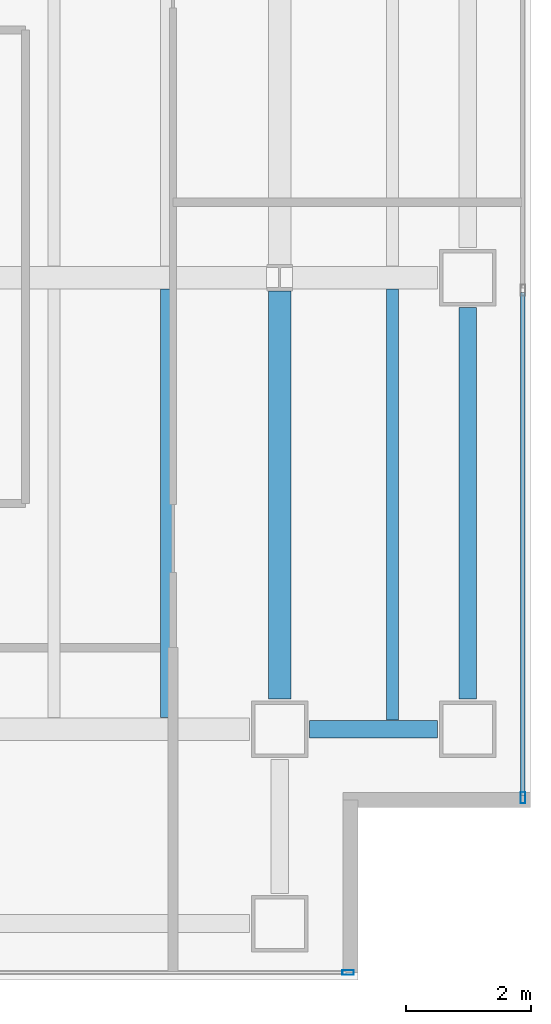
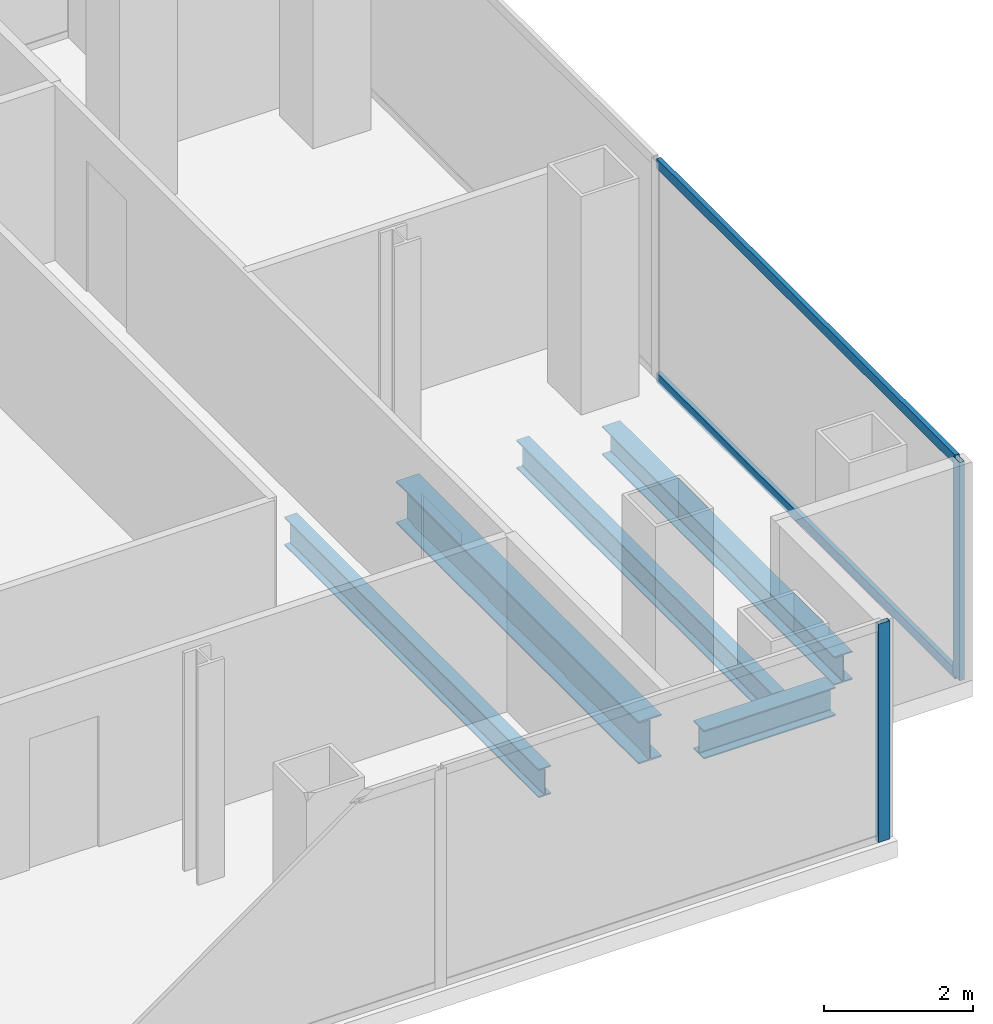
# One storey, part 11 of 23: 5 beams, 4 members, 2 elements without a shape of their own.
"""IFC4 building model written with IfcOpenShell, lengths in metres."""

import ifcopenshell
import ifcopenshell.guid

model = None  # the IFC model being written
_history = None  # IfcOwnerHistory: only IFC2X3 demands one
_inside = {}  # id of a spatial element -> (the spatial element, [elements in it])
_under = {}  # id of a project, library or spatial element -> (it, [spatial elements below it])
_declared = {}  # id of a project -> (the project, [libraries it declares])
_typed = {}  # id of a type object -> (the type object, [elements of that type])
_made_of = {}  # id of a material, layer set ... -> (it, [elements and type objects made of it])


def new_model(schema):
    """Start an empty IFC model of exactly this schema.

    Asked for "IFC4X3", IfcOpenShell would pick the latest addendum, in which some entities
    have other attributes; the version numbers below select the first issue.
    IFC2X3 requires an IfcOwnerHistory on every rooted entity: one is made here for all.
    """
    global model, _history
    if schema == "IFC4X3":
        model = ifcopenshell.file(schema_version=(4, 3, 0, 0))
    else:
        model = ifcopenshell.file(schema=schema)
    _inside.clear()
    _under.clear()
    _declared.clear()
    _typed.clear()
    _made_of.clear()
    _history = None
    if model.schema == "IFC2X3":
        org = make("IfcOrganization", Name="unknown")
        user = make(
            "IfcPersonAndOrganization",
            ThePerson=make("IfcPerson", FamilyName="unknown"),
            TheOrganization=org,
        )
        app = make(
            "IfcApplication",
            ApplicationDeveloper=org,
            Version="unknown",
            ApplicationFullName="unknown",
            ApplicationIdentifier="unknown",
        )
        _history = make(
            "IfcOwnerHistory",
            OwningUser=user,
            OwningApplication=app,
            ChangeAction="ADDED",
            CreationDate=0,
        )
    return model


def make(cls, **values):
    """One entity of the class cls with the attributes given. An attribute that is None is left unset."""
    return model.create_entity(
        cls, **{name: value for name, value in values.items() if value is not None}
    )


def rooted(cls, **values):
    """An entity with a GlobalId (a new one), such as an element, a storey or a relation."""
    return make(cls, GlobalId=ifcopenshell.guid.new(), OwnerHistory=_history, **values)


def si_unit(unit_type, name, prefix=None):
    """IfcSIUnit, for example si_unit("LENGTHUNIT", "METRE", prefix="MILLI")."""
    return make("IfcSIUnit", UnitType=unit_type, Prefix=prefix, Name=name)


def assignment(units):
    """IfcUnitAssignment: the units of a project."""
    return None if units is None else make("IfcUnitAssignment", Units=units)


def point(xyz):
    """IfcCartesianPoint."""
    return None if xyz is None else make("IfcCartesianPoint", Coordinates=xyz)


def direction(xyz):
    """IfcDirection."""
    return None if xyz is None else make("IfcDirection", DirectionRatios=xyz)


def frame(location, z_axis=None, x_axis=None):
    """IfcAxis2Placement3D, a coordinate frame: its origin and axes. An axis left out is left unset."""
    return make(
        "IfcAxis2Placement3D",
        Location=point(location),
        Axis=direction(z_axis),
        RefDirection=direction(x_axis),
    )


def frame_2d(location, x_axis=None):
    """IfcAxis2Placement2D, a coordinate frame in the plane: its origin and x axis."""
    return make(
        "IfcAxis2Placement2D", Location=point(location), RefDirection=direction(x_axis)
    )


def origin():
    """The frame at (0, 0, 0) with its axes left unset."""
    return frame((0.0, 0.0, 0.0))


def origin_2d():
    """The frame at (0, 0) in the plane with its x axis left unset."""
    return frame_2d((0.0, 0.0))


def place(relative_to, where):
    """IfcLocalPlacement: puts the frame where relative to a parent placement (None: the world)."""
    return make(
        "IfcLocalPlacement", PlacementRelTo=relative_to, RelativePlacement=where
    )


def context(
    kind, dimensions, precision=None, world=None, true_north=None, identifier=None
):
    """IfcGeometricRepresentationContext, for example the 3D "Model" context."""
    return make(
        "IfcGeometricRepresentationContext",
        ContextIdentifier=identifier,
        ContextType=kind,
        CoordinateSpaceDimension=dimensions,
        Precision=precision,
        WorldCoordinateSystem=world,
        TrueNorth=true_north,
    )


def subcontext(parent, identifier, kind, view, scale=None):
    """IfcGeometricRepresentationSubContext, for example "Body" below "Model"."""
    return make(
        "IfcGeometricRepresentationSubContext",
        ContextIdentifier=identifier,
        ContextType=kind,
        ParentContext=parent,
        TargetScale=scale,
        TargetView=view,
    )


def project(units=None, contexts=None):
    """IfcProject with its units and contexts."""
    return rooted(
        "IfcProject",
        Name="project",
        RepresentationContexts=contexts,
        UnitsInContext=assignment(units),
    )


def spatial(cls, under=None, at=None, **own):
    """A site, building, storey or space (cls), placed at a placement, below another one or the project."""
    s = rooted(cls, ObjectPlacement=at, **own)
    if under is not None:
        _under.setdefault(under.id(), (under, []))[1].append(s)
    return s


def profile(cls, at=None, kind="AREA", **sizes):
    """A parametric profile (cls). Its sizes go by their IFC names, for example OverallWidth=200.0."""
    return make(cls, ProfileType=kind, Position=at, **sizes)


def hollow_rectangle(**sizes):
    """IfcRectangleHollowProfileDef."""
    return profile("IfcRectangleHollowProfileDef", **sizes)


def i_section(**sizes):
    """IfcIShapeProfileDef."""
    return profile("IfcIShapeProfileDef", **sizes)


def extrude(swept, where, along, depth):
    """IfcExtrudedAreaSolid: the profile swept, set in the frame where, extruded along a direction by depth."""
    return make(
        "IfcExtrudedAreaSolid",
        SweptArea=swept,
        Position=where,
        ExtrudedDirection=direction(along),
        Depth=depth,
    )


def shape(context_of_items, identifier, shape_type, items):
    """IfcShapeRepresentation: the items that make up one representation, for example the "Body"."""
    return make(
        "IfcShapeRepresentation",
        ContextOfItems=context_of_items,
        RepresentationIdentifier=identifier,
        RepresentationType=shape_type,
        Items=items,
    )


def material(Name=None, Category=None):
    """IfcMaterial."""
    return make("IfcMaterial", Name=Name, Category=Category)


def material_profile(
    of_material, cross_section, Name=None, Category=None, Priority=None
):
    """IfcMaterialProfile: a cross section and its material."""
    return make(
        "IfcMaterialProfile",
        Name=Name,
        Material=of_material,
        Profile=cross_section,
        Priority=Priority,
        Category=Category,
    )


def profile_set(profiles, Name=None, composite=None):
    """IfcMaterialProfileSet."""
    return make(
        "IfcMaterialProfileSet",
        Name=Name,
        MaterialProfiles=profiles,
        CompositeProfile=composite,
    )


def made_of(thing, what):
    """Note that an element or type object is made of a material, layer set ...; save() writes the relation."""
    if what is not None:
        _made_of.setdefault(what.id(), (what, []))[1].append(thing)
    return thing


def type_object(cls, material=None, **own):
    """A type object (cls), such as IfcWallType, which elements share."""
    return made_of(rooted(cls, **own), material)


def element(
    cls,
    number,
    at=None,
    inside=None,
    cuts=None,
    type_object=None,
    material=None,
    context=None,
    identifier="Body",
    shape_type=None,
    held_by="IfcProductDefinitionShape",
    body=None,
    shapes=None,
    **own,
):
    """One element of the class cls, such as IfcWall. Its Tag is "e" and its number.

    at: its placement. inside: the storey or other place that contains it. cuts: it is an
    opening in that element (IfcRelVoidsElement). A single representation is given by context,
    identifier, shape_type and body (its items); several are given by shapes. held_by: the class
    of the entity that holds the representations. save() writes the other relations.
    """
    e = rooted(cls, Tag="e%d" % number, ObjectPlacement=at, **own)
    if body is not None:
        shapes = [shape(context, identifier, shape_type, body)]
    if shapes is not None:
        e.Representation = make(held_by, Representations=shapes)
    if inside is not None:
        _inside.setdefault(inside.id(), (inside, []))[1].append(e)
    if cuts is not None:
        rooted(
            "IfcRelVoidsElement", RelatingBuildingElement=cuts, RelatedOpeningElement=e
        )
    if type_object is not None:
        _typed.setdefault(type_object.id(), (type_object, []))[1].append(e)
    return made_of(e, material)


def aggregate(whole, parts):
    """IfcRelAggregates: a whole, such as a stair, and the parts it consists of."""
    return rooted("IfcRelAggregates", RelatingObject=whole, RelatedObjects=parts)


def save(model, path):
    """Write the relations noted so far, then the file.

    IfcRelAggregates (storeys below a building ...), IfcRelContainedInSpatialStructure (elements
    in a storey), IfcRelDefinesByType, IfcRelAssociatesMaterial and IfcRelDeclares: one each for
    every whole, place, type object, material and project.
    """
    for whole, parts in _under.values():
        aggregate(whole, parts)
    for where, things in _inside.values():
        rooted(
            "IfcRelContainedInSpatialStructure",
            RelatedElements=things,
            RelatingStructure=where,
        )
    for kind, things in _typed.values():
        rooted("IfcRelDefinesByType", RelatedObjects=things, RelatingType=kind)
    for what, things in _made_of.values():
        rooted("IfcRelAssociatesMaterial", RelatedObjects=things, RelatingMaterial=what)
    for by, libraries in _declared.values():
        rooted("IfcRelDeclares", RelatingContext=by, RelatedDefinitions=libraries)
    model.write(path)


model = new_model("IFC4")

# Units and contexts
model_context = context("Model", 3, precision=1e-05, world=origin(), true_north=direction((0.0, 1.0)))
body_context = subcontext(model_context, "Body", "Model", "MODEL_VIEW")
ifc_project = project(units=[si_unit("LENGTHUNIT", "METRE"), si_unit("AREAUNIT", "SQUARE_METRE"), si_unit("VOLUMEUNIT", "CUBIC_METRE"), si_unit("PLANEANGLEUNIT", "RADIAN"), si_unit("MASSUNIT", "GRAM", prefix="KILO")], contexts=[model_context])

# Site, building, storey
site_placement = place(None, origin())
site = spatial("IfcSite", under=ifc_project, at=site_placement, CompositionType="ELEMENT")
building_placement = place(site_placement, origin())
building = spatial("IfcBuilding", under=site, at=building_placement, Name="Cobrela Telecom Tower", CompositionType="ELEMENT")
storey_placement = place(building_placement, frame((0.0, 0.0, 117.60009765625)))
storey = spatial("IfcBuildingStorey", under=building, at=storey_placement, Name="L29", CompositionType="ELEMENT", Elevation=117.60009765625)

# Beams
ifc_material_1 = material(Name="Steel ASTM A992 Grade 50", Category="steel")
ifc_material_profile_1 = material_profile(ifc_material_1, i_section(OverallWidth=0.35595703125, OverallDepth=0.696044921875, WebThickness=0.015380859375, FlangeThickness=0.024658203125, FilletRadius=0.01806640625, at=origin_2d()), Name="W27X146")
ifc_profile_set_1 = profile_set([ifc_material_profile_1], Name="Steel ASTM A992 Grade 50")
beam_type_1 = type_object("IfcBeamType", Name="BM-GIRD-05", PredefinedType="USERDEFINED", material=ifc_profile_set_1)
beam_1_placement = place(storey_placement, frame((43.199951171875, 7.679931640625, -0.6181640625), z_axis=(0.0, 1.0, 0.0), x_axis=(-1.0, 0.0, 0.0)))
element("IfcBeam", 1, at=beam_1_placement, inside=storey, type_object=beam_type_1, Name="L29 Primary Girder Y53", ObjectType="GIRDER", PredefinedType="USERDEFINED", context=body_context, shape_type="SweptSolid", body=[
    extrude(i_section(OverallWidth=0.35595703125, OverallDepth=0.696044921875, WebThickness=0.015380859375, FlangeThickness=0.024658203125, FilletRadius=0.01806640625, at=origin_2d()), origin(), (0.0, 0.0, 1.0), 6.510498046875),
])
ifc_material_profile_2 = material_profile(ifc_material_1, i_section(OverallWidth=0.193115234375, OverallDepth=0.467041015625, WebThickness=0.011474609375, FlangeThickness=0.01904296875, FilletRadius=0.012939453125, at=origin_2d()), Name="W18X65")
ifc_profile_set_2 = profile_set([ifc_material_profile_2], Name="Steel ASTM A992 Grade 50")
beam_type_2 = type_object("IfcBeamType", Name="BM-JOIST-03", PredefinedType="JOIST", material=ifc_profile_set_2)
beam_2_placement = place(storey_placement, frame((41.39990234375, 7.383056640625, -0.503662109375), z_axis=(0.0, 1.0, 0.0), x_axis=(-1.0, 0.0, 0.0)))
element("IfcBeam", 2, at=beam_2_placement, inside=storey, type_object=beam_type_2, Name="L29 Secondary Composite Floor Beam J37", PredefinedType="JOIST", context=body_context, shape_type="SweptSolid", body=[
    extrude(i_section(OverallWidth=0.193115234375, OverallDepth=0.467041015625, WebThickness=0.011474609375, FlangeThickness=0.01904296875, FilletRadius=0.012939453125, at=origin_2d()), origin(), (0.0, 0.0, 1.0), 6.833984375),
])
beam_3_placement = place(storey_placement, frame((45.0, 7.345947265625, -0.503662109375), z_axis=(0.0, 1.0, 0.0), x_axis=(-1.0, 0.0, 0.0)))
element("IfcBeam", 3, at=beam_3_placement, inside=storey, type_object=beam_type_2, Name="L29 Secondary Composite Floor Beam J39", PredefinedType="JOIST", context=body_context, shape_type="SweptSolid", body=[
    extrude(i_section(OverallWidth=0.193115234375, OverallDepth=0.467041015625, WebThickness=0.011474609375, FlangeThickness=0.01904296875, FilletRadius=0.012939453125, at=origin_2d()), origin(), (0.0, 0.0, 1.0), 6.87109375),
])
ifc_material_profile_3 = material_profile(ifc_material_1, i_section(OverallWidth=0.281982421875, OverallDepth=0.467041015625, WebThickness=0.01220703125, FlangeThickness=0.01953125, FilletRadius=0.012939453125, at=origin_2d()), Name="W18X86")
ifc_profile_set_3 = profile_set([ifc_material_profile_3], Name="Steel ASTM A992 Grade 50")
beam_type_3 = type_object("IfcBeamType", Name="BM-SPAND-04", PredefinedType="SPANDREL", material=ifc_profile_set_3)
beam_4_placement = place(storey_placement, frame((43.679931640625, 7.199951171875, -0.503662109375), z_axis=(1.0, 0.0, 0.0), x_axis=(0.0, 1.0, 0.0)))
element("IfcBeam", 4, at=beam_4_placement, inside=storey, type_object=beam_type_3, Name="L29 Perimeter Spandrel X12", PredefinedType="SPANDREL", context=body_context, shape_type="SweptSolid", body=[
    extrude(i_section(OverallWidth=0.281982421875, OverallDepth=0.467041015625, WebThickness=0.01220703125, FlangeThickness=0.01953125, FilletRadius=0.012939453125, at=origin_2d()), origin(), (0.0, 0.0, 1.0), 2.0400390625),
])
beam_5_placement = place(storey_placement, frame((46.199951171875, 7.679931640625, -0.503662109375), z_axis=(0.0, 1.0, 0.0), x_axis=(-1.0, 0.0, 0.0)))
element("IfcBeam", 5, at=beam_5_placement, inside=storey, type_object=beam_type_3, Name="L29 Perimeter Spandrel Y55", PredefinedType="SPANDREL", context=body_context, shape_type="SweptSolid", body=[
    extrude(i_section(OverallWidth=0.281982421875, OverallDepth=0.467041015625, WebThickness=0.01220703125, FlangeThickness=0.01953125, FilletRadius=0.012939453125, at=origin_2d()), origin(), (0.0, 0.0, 1.0), 6.239990234375),
])

# Curtain wall, member
ifc_material_2 = material(Name="Anodized Bronze Aluminium 6063-T6", Category="aluminium")
curtain_wall_type = type_object("IfcCurtainWallType", Name="CW-SYS-TEL", PredefinedType="USERDEFINED", material=ifc_material_2)
curtain_wall_1_placement = place(storey_placement, origin())
curtain_wall_1 = element("IfcCurtainWall", 6, at=curtain_wall_1_placement, inside=storey, type_object=curtain_wall_type, Name="L29 Unitised Bronze Curtain Wall 14", ObjectType="UNITISED CURTAIN WALL", PredefinedType="USERDEFINED")
ifc_material_profile_4 = material_profile(ifc_material_2, hollow_rectangle(XDim=0.074951171875, YDim=0.179931640625, WallThickness=0.00390625, at=origin_2d()), Name="ALU 75x180x4")
ifc_profile_set_4 = profile_set([ifc_material_profile_4], Name="Anodized Bronze Aluminium 6063-T6")
member_type_1 = type_object("IfcMemberType", Name="CW-SYS-TEL-MUL", PredefinedType="MULLION", material=ifc_profile_set_4)
member_1_placement = place(storey_placement, frame((47.080078125, 6.107421875, 0.0), z_axis=(0.0, 0.0, 1.0), x_axis=(1.0, 0.0, 0.0)))
member_1 = element("IfcMember", 7, at=member_1_placement, type_object=member_type_1, Name="CW-TEL mullion 3", PredefinedType="MULLION", context=body_context, shape_type="SweptSolid", body=[
    extrude(hollow_rectangle(XDim=0.074951171875, YDim=0.179931640625, WallThickness=0.00390625, at=origin_2d()), origin(), (0.0, 0.0, 1.0), 3.579833984375),
])

curtain_wall_2_placement = place(storey_placement, origin())
curtain_wall_2 = element("IfcCurtainWall", 8, at=curtain_wall_2_placement, inside=storey, type_object=curtain_wall_type, Name="L29 Unitised Bronze Curtain Wall 17", ObjectType="UNITISED CURTAIN WALL", PredefinedType="USERDEFINED")
member_2_placement = place(storey_placement, frame((44.29248046875, 3.320068359375, 0.0), z_axis=(0.0, 0.0, 1.0), x_axis=(0.0, -1.0, 0.0)))
member_2 = element("IfcMember", 9, at=member_2_placement, type_object=member_type_1, Name="CW-TEL mullion 1", PredefinedType="MULLION", context=body_context, shape_type="SweptSolid", body=[
    extrude(hollow_rectangle(XDim=0.074951171875, YDim=0.179931640625, WallThickness=0.00390625, at=origin_2d()), origin(), (0.0, 0.0, 1.0), 3.579833984375),
])
aggregate(curtain_wall_2, [member_2])

# Member
ifc_material_profile_5 = material_profile(ifc_material_2, hollow_rectangle(XDim=0.070068359375, YDim=0.159912109375, WallThickness=0.00390625, at=origin_2d()), Name="ALU 70x160x4")
ifc_profile_set_5 = profile_set([ifc_material_profile_5], Name="Anodized Bronze Aluminium 6063-T6")
member_type_2 = type_object("IfcMemberType", Name="CW-SYS-TEL-TRN", PredefinedType="USERDEFINED", material=ifc_profile_set_5)
member_3_placement = place(storey_placement, frame((47.080078125, 14.16259765625, 0.034912109375), z_axis=(0.0, -1.0, 0.0), x_axis=(1.0, 0.0, 0.0)))
member_3 = element("IfcMember", 10, at=member_3_placement, type_object=member_type_2, Name="CW-TEL transom 2.1", ObjectType="TRANSOM", PredefinedType="USERDEFINED", context=body_context, shape_type="SweptSolid", body=[
    extrude(hollow_rectangle(XDim=0.070068359375, YDim=0.159912109375, WallThickness=0.00390625, at=origin_2d()), origin(), (0.0, 0.0, 1.0), 8.017578125),
])

member_4_placement = place(storey_placement, frame((47.080078125, 14.16259765625, 3.544921875), z_axis=(0.0, -1.0, 0.0), x_axis=(1.0, 0.0, 0.0)))
member_4 = element("IfcMember", 11, at=member_4_placement, type_object=member_type_2, Name="CW-TEL transom 2.2", ObjectType="TRANSOM", PredefinedType="USERDEFINED", context=body_context, shape_type="SweptSolid", body=[
    extrude(hollow_rectangle(XDim=0.070068359375, YDim=0.159912109375, WallThickness=0.00390625, at=origin_2d()), origin(), (0.0, 0.0, 1.0), 8.017578125),
])

aggregate(curtain_wall_1, [member_1, member_3, member_4])

save(model, "model.ifc")
